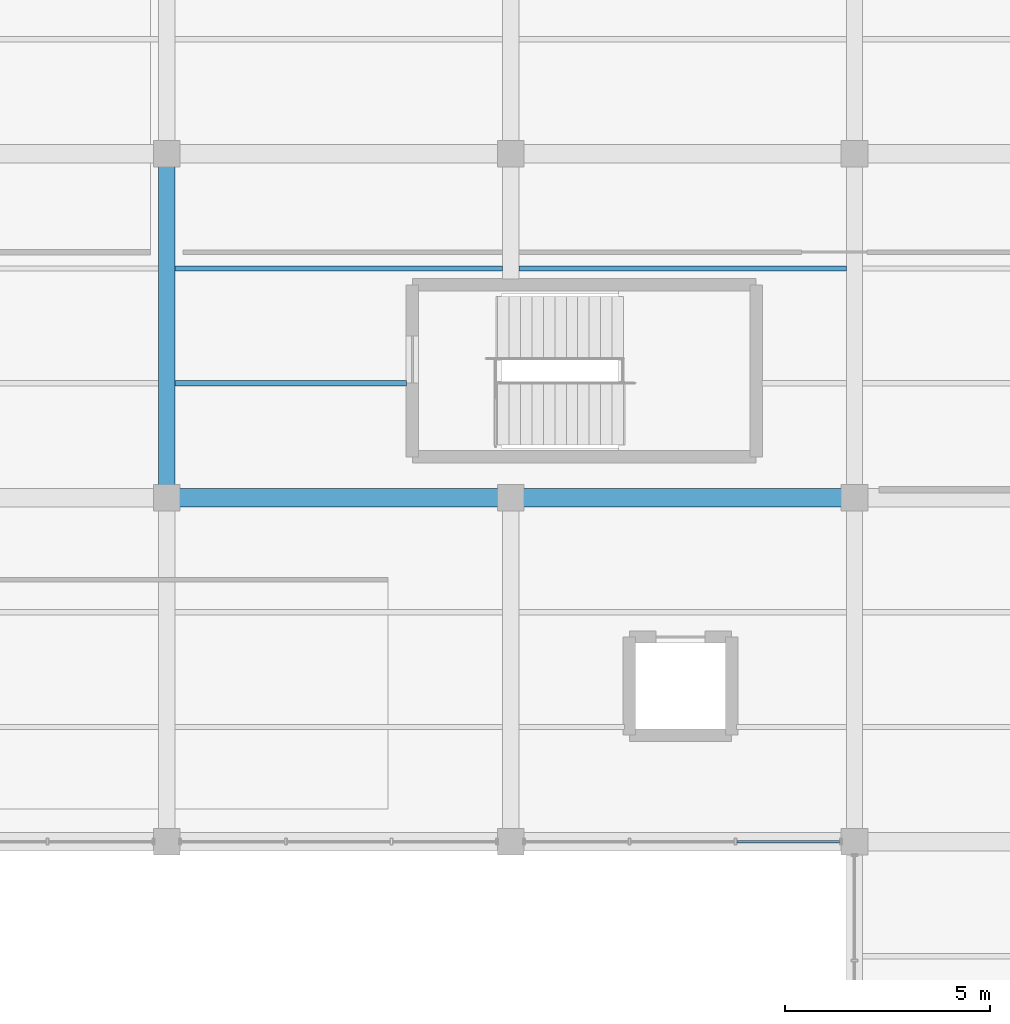
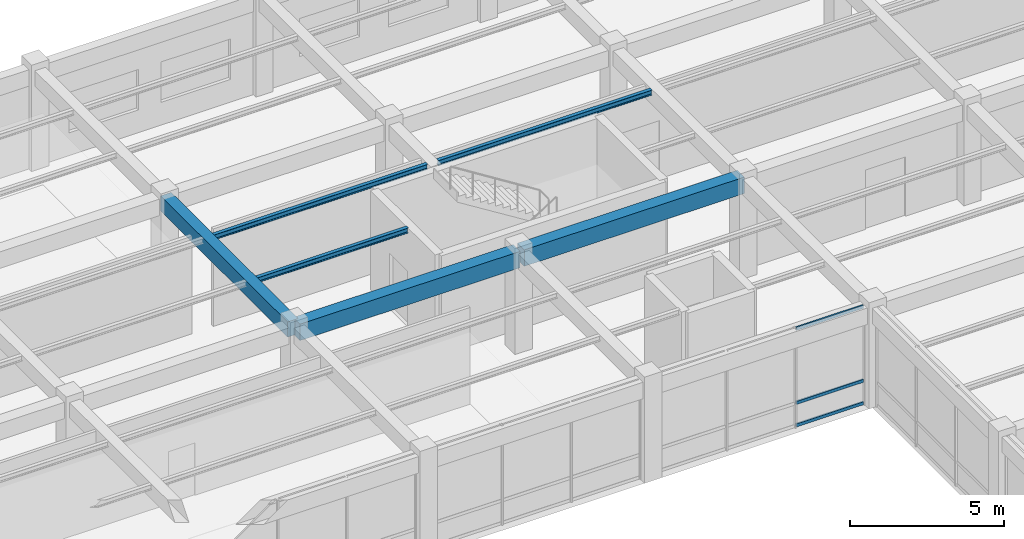
# One storey, part 22 of 138: 6 beams, 3 members, 1 element without a shape of its own.
"""IFC4 building model written with IfcOpenShell, lengths in metres."""

from ifc_helpers import new_model, si_unit, direction, frame, origin, origin_2d, place, context, subcontext, project, spatial, rectangle, hollow_rectangle, i_section, extrude, material, material_profile, profile_set, type_object, element, aggregate, save


model = new_model("IFC4")

# Units and contexts
model_context = context("Model", 3, precision=1e-05, world=origin(), true_north=direction((0.0, 1.0)))
body_context = subcontext(model_context, "Body", "Model", "MODEL_VIEW")
ifc_project = project(units=[si_unit("LENGTHUNIT", "METRE"), si_unit("AREAUNIT", "SQUARE_METRE"), si_unit("VOLUMEUNIT", "CUBIC_METRE"), si_unit("PLANEANGLEUNIT", "RADIAN"), si_unit("MASSUNIT", "GRAM", prefix="KILO"), si_unit("THERMODYNAMICTEMPERATUREUNIT", "KELVIN"), si_unit("POWERUNIT", "WATT")], contexts=[model_context])

# Site, building, storey
site_placement = place(None, origin())
site = spatial("IfcSite", under=ifc_project, at=site_placement, CompositionType="ELEMENT")
building_placement = place(site_placement, origin())
building = spatial("IfcBuilding", under=site, at=building_placement, Name="Darbajah Civic Hall", CompositionType="ELEMENT")
storey_placement = place(building_placement, frame((0.0, 0.0, 9.60009765625)))
storey = spatial("IfcBuildingStorey", under=building, at=storey_placement, Name="L02", CompositionType="ELEMENT", Elevation=9.60009765625)

# Curtain wall, members
ifc_material_1 = material(Name="Anodised Bronze Aluminium and Low-E Glazing", Category="aluminium")
curtain_wall_type = type_object("IfcCurtainWallType", Name="Unitised Curtain Wall CW-99 7700x3950", PredefinedType="USERDEFINED", material=ifc_material_1)
curtain_wall_placement = place(storey_placement, origin())
curtain_wall = element("IfcCurtainWall", 1, at=curtain_wall_placement, inside=storey, type_object=curtain_wall_type, Name="L02 unitised curtain wall CW-V5-L02-S2-B3", ObjectType="UNITISED CURTAIN WALL", PredefinedType="USERDEFINED")
ifc_material_2 = material(Name="Anodised Bronze Aluminium", Category="aluminium")
ifc_material_profile_1 = material_profile(ifc_material_2, hollow_rectangle(XDim=0.06005859375, YDim=0.1201171875, WallThickness=0.003173828125, at=origin_2d()), Name="ALU TRANSOM 60x120")
ifc_profile_set_1 = profile_set([ifc_material_profile_1], Name="Anodised Bronze Aluminium")
member_type = type_object("IfcMemberType", Name="ALU TRANSOM 60x120", PredefinedType="USERDEFINED", material=ifc_profile_set_1)
member_1_placement = place(storey_placement, frame((47.52587890625, 16.800048828125, 0.059814453125), z_axis=(1.0, 0.0, 0.0), x_axis=(0.0, 1.0, 0.0)))
member_1 = element("IfcMember", 2, at=member_1_placement, type_object=member_type, Name="CW-V5-L02-S2-B3 transom 3.1", ObjectType="TRANSOM", PredefinedType="USERDEFINED", context=body_context, shape_type="SweptSolid", body=[
    extrude(hollow_rectangle(XDim=0.06005859375, YDim=0.1201171875, WallThickness=0.003173828125, at=origin_2d()), origin(), (0.0, 0.0, 1.0), 2.51220703125),
])
member_2_placement = place(storey_placement, frame((47.52587890625, 16.800048828125, 0.949951171875), z_axis=(1.0, 0.0, 0.0), x_axis=(0.0, 1.0, 0.0)))
member_2 = element("IfcMember", 3, at=member_2_placement, type_object=member_type, Name="CW-V5-L02-S2-B3 transom 3.2", ObjectType="TRANSOM", PredefinedType="USERDEFINED", context=body_context, shape_type="SweptSolid", body=[
    extrude(hollow_rectangle(XDim=0.06005859375, YDim=0.1201171875, WallThickness=0.003173828125, at=origin_2d()), origin(), (0.0, 0.0, 1.0), 2.51220703125),
])
member_3_placement = place(storey_placement, frame((47.52587890625, 16.800048828125, 3.8798828125), z_axis=(1.0, 0.0, 0.0), x_axis=(0.0, 1.0, 0.0)))
member_3 = element("IfcMember", 4, at=member_3_placement, type_object=member_type, Name="CW-V5-L02-S2-B3 transom 3.3", ObjectType="TRANSOM", PredefinedType="USERDEFINED", context=body_context, shape_type="SweptSolid", body=[
    extrude(hollow_rectangle(XDim=0.06005859375, YDim=0.1201171875, WallThickness=0.003173828125, at=origin_2d()), origin(), (0.0, 0.0, 1.0), 2.51220703125),
])
aggregate(curtain_wall, [member_1, member_2, member_3])

# Beams
ifc_material_3 = material(Name="Concrete C45/55", Category="concrete")
ifc_material_profile_2 = material_profile(ifc_material_3, rectangle(XDim=0.39990234375, YDim=0.60009765625, at=origin_2d()), Name="RC BEAM 400x600")
ifc_profile_set_2 = profile_set([ifc_material_profile_2], Name="Concrete C45/55")
beam_type_1 = type_object("IfcBeamType", Name="RC BEAM 400x600", PredefinedType="BEAM", material=ifc_profile_set_2)
beam_1_placement = place(storey_placement, frame((33.60009765625, 25.280029296875, 3.639892578125), z_axis=(0.0, 1.0, 0.0), x_axis=(-1.0, 0.0, 0.0)))
element("IfcBeam", 5, at=beam_1_placement, inside=storey, type_object=beam_type_1, Name="L02 beam BM-4060", PredefinedType="BEAM", context=body_context, shape_type="SweptSolid", body=[
    extrude(rectangle(XDim=0.39990234375, YDim=0.60009765625, at=origin_2d()), origin(), (0.0, 0.0, 1.0), 8.239990234375),
])
ifc_material_profile_3 = material_profile(ifc_material_3, rectangle(XDim=0.449951171875, YDim=0.64990234375, at=origin_2d()), Name="RC BEAM 450x650")
ifc_profile_set_3 = profile_set([ifc_material_profile_3], Name="Concrete C45/55")
beam_type_2 = type_object("IfcBeamType", Name="RC BEAM 450x650", PredefinedType="BEAM", material=ifc_profile_set_3)
for number, where, z_axis, x_axis, name in (
    (6, (33.679931640625, 25.199951171875, 3.614990234375), (1.0, 0.0, 0.0), (0.0, 1.0, 0.0), "L02 beam BM-4565"),
    (7, (42.080078125, 25.199951171875, 3.614990234375), (1.0, 0.0, 0.0), (0.0, 1.0, 0.0), "L02 beam BM-4565"),
):
    element("IfcBeam", number, at=place(storey_placement, frame(where, z_axis=z_axis, x_axis=x_axis)), inside=storey, type_object=beam_type_2, Name=name, PredefinedType="BEAM", context=body_context, shape_type="SweptSolid", body=[
        extrude(rectangle(XDim=0.449951171875, YDim=0.64990234375, at=origin_2d()), origin(), (0.0, 0.0, 1.0), 8.239990234375),
    ])
ifc_material_4 = material(Name="Steel S355JR", Category="steel")
ifc_material_profile_4 = material_profile(ifc_material_4, i_section(OverallWidth=0.1337890625, OverallDepth=0.206787109375, WebThickness=0.00634765625, FlangeThickness=0.009521484375, FilletRadius=0.007568359375, at=origin_2d()), Name="UB 203x133x30")
ifc_profile_set_4 = profile_set([ifc_material_profile_4], Name="Steel S355JR")
beam_type_3 = type_object("IfcBeamType", Name="UB 203x133x30", PredefinedType="JOIST", material=ifc_profile_set_4)
beam_2_placement = place(storey_placement, frame((33.800048828125, 28.0, 3.83642578125), z_axis=(1.0, 0.0, 0.0), x_axis=(0.0, 1.0, 0.0)))
element("IfcBeam", 8, at=beam_2_placement, inside=storey, type_object=beam_type_3, Name="L02 beam SJ-203", PredefinedType="JOIST", context=body_context, shape_type="SweptSolid", body=[
    extrude(i_section(OverallWidth=0.1337890625, OverallDepth=0.206787109375, WebThickness=0.00634765625, FlangeThickness=0.009521484375, FilletRadius=0.007568359375, at=origin_2d()), origin(), (0.0, 0.0, 1.0), 5.659912109375),
])
for number, where, z_axis, x_axis, name in (
    (9, (33.800048828125, 30.800048828125, 3.83642578125), (1.0, 0.0, 0.0), (0.0, 1.0, 0.0), "L02 beam SJ-203"),
    (10, (42.199951171875, 30.800048828125, 3.83642578125), (1.0, 0.0, 0.0), (0.0, 1.0, 0.0), "L02 beam SJ-203"),
):
    element("IfcBeam", number, at=place(storey_placement, frame(where, z_axis=z_axis, x_axis=x_axis)), inside=storey, type_object=beam_type_3, Name=name, PredefinedType="JOIST", context=body_context, shape_type="SweptSolid", body=[
        extrude(i_section(OverallWidth=0.1337890625, OverallDepth=0.206787109375, WebThickness=0.00634765625, FlangeThickness=0.009521484375, FilletRadius=0.007568359375, at=origin_2d()), origin(), (0.0, 0.0, 1.0), 8.0),
    ])

save(model, "model.ifc")
